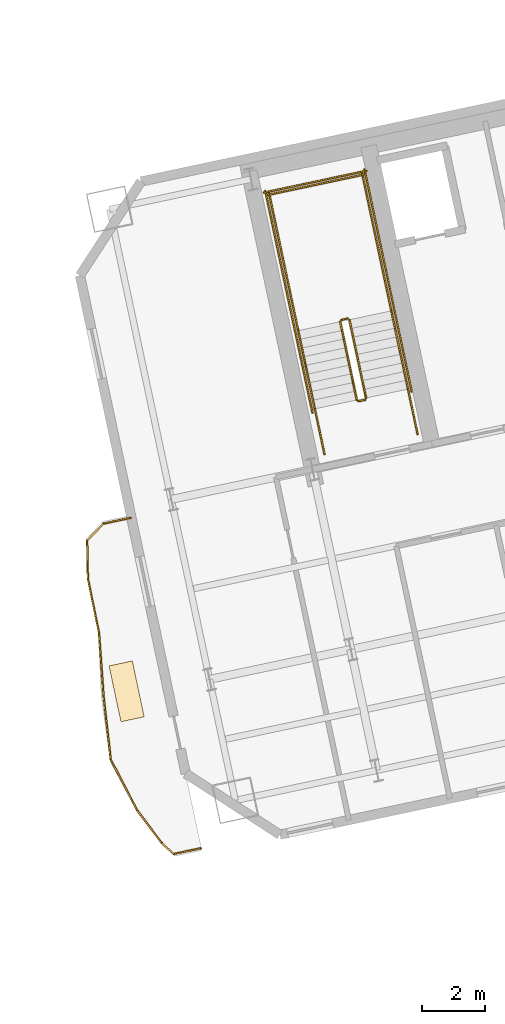
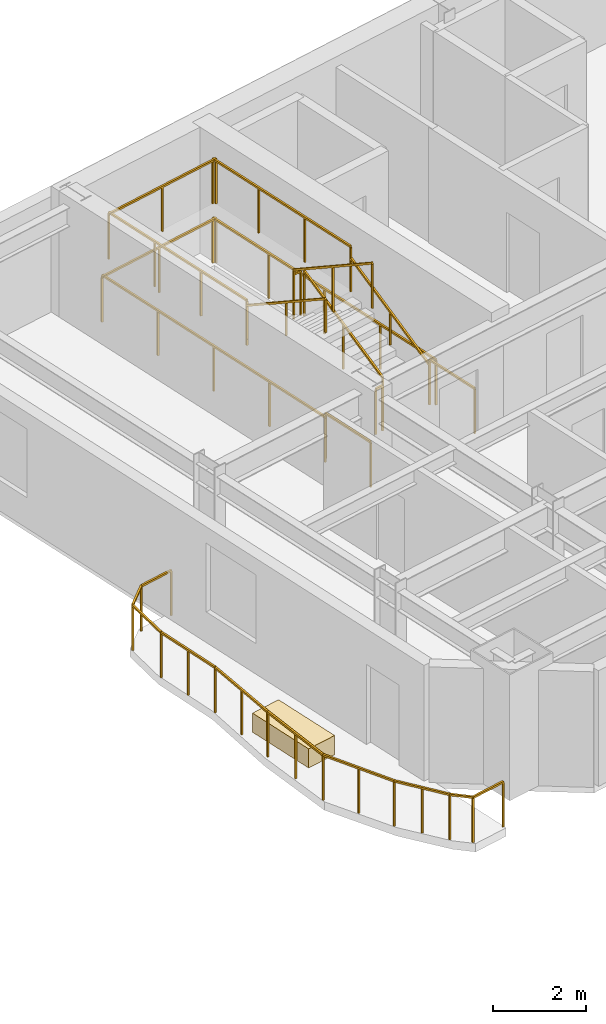
# One storey, part 12 of 13: 24 railings, 1 covering.
"""IFC4 building model written with IfcOpenShell, lengths in metres."""

from ifc_helpers import new_model, si_unit, direction, frame, origin, origin_2d, place, context, subcontext, project, spatial, rectangle, extrude, material, layer, layer_set, type_object, element, save


model = new_model("IFC4")

# Units and contexts
model_context = context("Model", 3, precision=1e-05, world=origin(), true_north=direction((0.0, 1.0)))
body_context = subcontext(model_context, "Body", "Model", "MODEL_VIEW")
ifc_project = project(units=[si_unit("LENGTHUNIT", "METRE"), si_unit("AREAUNIT", "SQUARE_METRE"), si_unit("VOLUMEUNIT", "CUBIC_METRE"), si_unit("PLANEANGLEUNIT", "RADIAN"), si_unit("MASSUNIT", "GRAM", prefix="KILO")], contexts=[model_context])

# Site, building, storey
site_placement = place(None, origin())
site = spatial("IfcSite", under=ifc_project, at=site_placement, CompositionType="ELEMENT")
building_placement = place(site_placement, origin())
building = spatial("IfcBuilding", under=site, at=building_placement, Name="Haevon Station Towers", CompositionType="ELEMENT")
storey_placement = place(building_placement, frame((0.0, 0.0, 142.800048828125)))
storey = spatial("IfcBuildingStorey", under=building, at=storey_placement, Name="L38", CompositionType="ELEMENT", Elevation=142.800048828125)

# Railings
ifc_material_1 = material(Name="Steel S355", Category="steel")
railing_type_1 = type_object("IfcRailingType", Name="GRD-EXT1200", PredefinedType="GUARDRAIL", material=ifc_material_1)
railing_1_placement = place(storey_placement, frame((93.021240234375, 35.91455078125, 0.0)))
element("IfcRailing", 1, at=railing_1_placement, inside=storey, type_object=railing_type_1, Name="L38 Perimeter Guardrail 1", PredefinedType="GUARDRAIL", context=body_context, shape_type="SweptSolid", body=[
    extrude(rectangle(XDim=0.048095703125, YDim=0.048095703125, at=origin_2d()), frame((0.0, 0.0, 1.17578125), z_axis=(-0.977683060471, -0.210085299981, 0.0), x_axis=(0.210085299981, -0.977683060471, 0.0)), (0.0, 0.0, 1.0), 0.869140625),
    extrude(rectangle(XDim=0.0419921875, YDim=0.0419921875, at=origin_2d()), origin(), (0.0, 0.0, 1.0), 1.15185546875),
    extrude(rectangle(XDim=0.0419921875, YDim=0.0419921875, at=origin_2d()), frame((-0.849853515625, -0.1826171875, 0.0)), (0.0, 0.0, 1.0), 1.15185546875),
])
railing_2_placement = place(storey_placement, frame((92.17138671875, 35.73193359375, 0.0)))
element("IfcRailing", 2, at=railing_2_placement, inside=storey, type_object=railing_type_1, Name="L38 Perimeter Guardrail 2", PredefinedType="GUARDRAIL", context=body_context, shape_type="SweptSolid", body=[
    extrude(rectangle(XDim=0.048095703125, YDim=0.048095703125, at=origin_2d()), frame((0.0, 0.0, 1.17578125), z_axis=(-0.700012319638, -0.714130766985, 0.0), x_axis=(0.714130766985, -0.700012319638, 0.0)), (0.0, 0.0, 1.0), 0.74365234375),
    extrude(rectangle(XDim=0.0419921875, YDim=0.0419921875, at=origin_2d()), origin(), (0.0, 0.0, 1.0), 1.15185546875),
    extrude(rectangle(XDim=0.0419921875, YDim=0.0419921875, at=origin_2d()), frame((-0.5205078125, -0.531005859375, 0.0)), (0.0, 0.0, 1.0), 1.15185546875),
])
railing_3_placement = place(storey_placement, frame((91.65087890625, 35.200927734375, 0.0)))
element("IfcRailing", 3, at=railing_3_placement, inside=storey, type_object=railing_type_1, Name="L38 Perimeter Guardrail 3", PredefinedType="GUARDRAIL", context=body_context, shape_type="SweptSolid", body=[
    extrude(rectangle(XDim=0.048095703125, YDim=0.048095703125, at=origin_2d()), frame((0.0, 0.0, 1.17578125), z_axis=(0.018439487303, -0.9998299782, 0.0), x_axis=(0.9998299782, 0.018439487303, 0.0)), (0.0, 0.0, 1.0), 1.191650390625),
    extrude(rectangle(XDim=0.0419921875, YDim=0.0419921875, at=origin_2d()), origin(), (0.0, 0.0, 1.0), 1.15185546875),
    extrude(rectangle(XDim=0.0419921875, YDim=0.0419921875, at=origin_2d()), frame((0.02197265625, -1.19140625, 0.0)), (0.0, 0.0, 1.0), 1.15185546875),
])
railing_4_placement = place(storey_placement, frame((91.6728515625, 34.009521484375, 0.0)))
element("IfcRailing", 4, at=railing_4_placement, inside=storey, type_object=railing_type_1, Name="L38 Perimeter Guardrail 4", PredefinedType="GUARDRAIL", context=body_context, shape_type="SweptSolid", body=[
    extrude(rectangle(XDim=0.048095703125, YDim=0.048095703125, at=origin_2d()), frame((0.0, 0.0, 1.17578125), z_axis=(0.200700479152, -0.979652651539, 0.0), x_axis=(0.979652651539, 0.200700479152, 0.0)), (0.0, 0.0, 1.0), 1.75048828125),
    extrude(rectangle(XDim=0.0419921875, YDim=0.0419921875, at=origin_2d()), origin(), (0.0, 0.0, 1.0), 1.15185546875),
    extrude(rectangle(XDim=0.0419921875, YDim=0.0419921875, at=origin_2d()), frame((0.17578125, -0.857421875, 0.0)), (0.0, 0.0, 1.0), 1.15185546875),
    extrude(rectangle(XDim=0.0419921875, YDim=0.0419921875, at=origin_2d()), frame((0.351318359375, -1.71484375, 0.0)), (0.0, 0.0, 1.0), 1.15185546875),
])
railing_5_placement = place(storey_placement, frame((92.024169921875, 32.294677734375, 0.0)))
element("IfcRailing", 5, at=railing_5_placement, inside=storey, type_object=railing_type_1, Name="L38 Perimeter Guardrail 5", PredefinedType="GUARDRAIL", context=body_context, shape_type="SweptSolid", body=[
    extrude(rectangle(XDim=0.048095703125, YDim=0.048095703125, at=origin_2d()), frame((0.0, 0.0, 1.17578125), z_axis=(0.072612688786, -0.99736021448, 0.0), x_axis=(0.99736021448, 0.072612688786, 0.0)), (0.0, 0.0, 1.0), 2.00732421875),
    extrude(rectangle(XDim=0.0419921875, YDim=0.0419921875, at=origin_2d()), origin(), (0.0, 0.0, 1.0), 1.15185546875),
    extrude(rectangle(XDim=0.0419921875, YDim=0.0419921875, at=origin_2d()), frame((0.07275390625, -1.0009765625, 0.0)), (0.0, 0.0, 1.0), 1.15185546875),
    extrude(rectangle(XDim=0.0419921875, YDim=0.0419921875, at=origin_2d()), frame((0.145751953125, -2.001953125, 0.0)), (0.0, 0.0, 1.0), 1.15185546875),
])
railing_6_placement = place(storey_placement, frame((92.169921875, 30.292724609375, 0.0)))
element("IfcRailing", 6, at=railing_6_placement, inside=storey, type_object=railing_type_1, Name="L38 Perimeter Guardrail 6", PredefinedType="GUARDRAIL", context=body_context, shape_type="SweptSolid", body=[
    extrude(rectangle(XDim=0.048095703125, YDim=0.048095703125, at=origin_2d()), frame((0.0, 0.0, 1.17578125), z_axis=(0.111367614102, -0.993779278577, 0.0), x_axis=(0.993779278577, 0.111367614102, 0.0)), (0.0, 0.0, 1.0), 2.003662109375),
    extrude(rectangle(XDim=0.0419921875, YDim=0.0419921875, at=origin_2d()), origin(), (0.0, 0.0, 1.0), 1.15185546875),
    extrude(rectangle(XDim=0.0419921875, YDim=0.0419921875, at=origin_2d()), frame((0.111572265625, -0.99560546875, 0.0)), (0.0, 0.0, 1.0), 1.15185546875),
    extrude(rectangle(XDim=0.0419921875, YDim=0.0419921875, at=origin_2d()), frame((0.22314453125, -1.9912109375, 0.0)), (0.0, 0.0, 1.0), 1.15185546875),
])
railing_7_placement = place(storey_placement, frame((92.39306640625, 28.301513671875, 0.0)))
element("IfcRailing", 7, at=railing_7_placement, inside=storey, type_object=railing_type_1, Name="L38 Perimeter Guardrail 7", PredefinedType="GUARDRAIL", context=body_context, shape_type="SweptSolid", body=[
    extrude(rectangle(XDim=0.048095703125, YDim=0.048095703125, at=origin_2d()), frame((0.0, 0.0, 1.17578125), z_axis=(0.46091535404, -0.887444103259, 0.0), x_axis=(0.887444103259, 0.46091535404, 0.0)), (0.0, 0.0, 1.0), 1.810546875),
    extrude(rectangle(XDim=0.0419921875, YDim=0.0419921875, at=origin_2d()), origin(), (0.0, 0.0, 1.0), 1.15185546875),
    extrude(rectangle(XDim=0.0419921875, YDim=0.0419921875, at=origin_2d()), frame((0.417236328125, -0.80322265625, 0.0)), (0.0, 0.0, 1.0), 1.15185546875),
    extrude(rectangle(XDim=0.0419921875, YDim=0.0419921875, at=origin_2d()), frame((0.83447265625, -1.606689453125, 0.0)), (0.0, 0.0, 1.0), 1.15185546875),
])
railing_8_placement = place(storey_placement, frame((93.2275390625, 26.69482421875, 0.0)))
element("IfcRailing", 8, at=railing_8_placement, inside=storey, type_object=railing_type_1, Name="L38 Perimeter Guardrail 8", PredefinedType="GUARDRAIL", context=body_context, shape_type="SweptSolid", body=[
    extrude(rectangle(XDim=0.048095703125, YDim=0.048095703125, at=origin_2d()), frame((0.0, 0.0, 1.17578125), z_axis=(0.602688662645, -0.797976425666, 0.0), x_axis=(0.797976425666, 0.602688662645, 0.0)), (0.0, 0.0, 1.0), 1.29150390625),
    extrude(rectangle(XDim=0.0419921875, YDim=0.0419921875, at=origin_2d()), origin(), (0.0, 0.0, 1.0), 1.15185546875),
    extrude(rectangle(XDim=0.0419921875, YDim=0.0419921875, at=origin_2d()), frame((0.38916015625, -0.51513671875, 0.0)), (0.0, 0.0, 1.0), 1.15185546875),
    extrude(rectangle(XDim=0.0419921875, YDim=0.0419921875, at=origin_2d()), frame((0.7783203125, -1.030517578125, 0.0)), (0.0, 0.0, 1.0), 1.15185546875),
])
railing_9_placement = place(storey_placement, frame((94.005859375, 25.664306640625, 0.0)))
element("IfcRailing", 9, at=railing_9_placement, inside=storey, type_object=railing_type_1, Name="L38 Perimeter Guardrail 9", PredefinedType="GUARDRAIL", context=body_context, shape_type="SweptSolid", body=[
    extrude(rectangle(XDim=0.048095703125, YDim=0.048095703125, at=origin_2d()), frame((0.0, 0.0, 1.17578125), z_axis=(0.74288808428, -0.669415636384, 0.0), x_axis=(0.669415636384, 0.74288808428, 0.0)), (0.0, 0.0, 1.0), 0.50830078125),
    extrude(rectangle(XDim=0.0419921875, YDim=0.0419921875, at=origin_2d()), origin(), (0.0, 0.0, 1.0), 1.15185546875),
    extrude(rectangle(XDim=0.0419921875, YDim=0.0419921875, at=origin_2d()), frame((0.377685546875, -0.34033203125, 0.0)), (0.0, 0.0, 1.0), 1.15185546875),
])
railing_10_placement = place(storey_placement, frame((94.383544921875, 25.323974609375, 0.0)))
element("IfcRailing", 10, at=railing_10_placement, inside=storey, type_object=railing_type_1, Name="L38 Perimeter Guardrail 10", PredefinedType="GUARDRAIL", context=body_context, shape_type="SweptSolid", body=[
    extrude(rectangle(XDim=0.048095703125, YDim=0.048095703125, at=origin_2d()), frame((0.0, 0.0, 1.17578125), z_axis=(0.978588498747, 0.205826504901, 0.0), x_axis=(-0.205826504901, 0.978588498747, 0.0)), (0.0, 0.0, 1.0), 0.869384765625),
    extrude(rectangle(XDim=0.0419921875, YDim=0.0419921875, at=origin_2d()), origin(), (0.0, 0.0, 1.0), 1.15185546875),
    extrude(rectangle(XDim=0.0419921875, YDim=0.0419921875, at=origin_2d()), frame((0.850830078125, 0.178955078125, 0.0)), (0.0, 0.0, 1.0), 1.15185546875),
])
railing_type_2 = type_object("IfcRailingType", Name="GRD-STR1200", PredefinedType="GUARDRAIL", material=ifc_material_1)
railing_11_placement = place(storey_placement, frame((100.44140625, 39.69287109375, 0.1650390625)))
element("IfcRailing", 11, at=railing_11_placement, inside=storey, type_object=railing_type_2, Name="L38 ST3 Stair Guard 1", PredefinedType="GUARDRAIL", context=body_context, shape_type="SweptSolid", body=[
    extrude(rectangle(XDim=0.048095703125, YDim=0.048095703125, at=origin_2d()), frame((0.0, 0.0, 1.17578125), z_axis=(-0.179128856099, 0.842723639875, 0.507670877349), x_axis=(-0.978147030254, -0.207914374695, 0.0)), (0.0, 0.0, 1.0), 2.9248046875),
    extrude(rectangle(XDim=0.0419921875, YDim=0.0419921875, at=origin_2d()), origin(), (0.0, 0.0, 1.0), 1.15185546875),
    extrude(rectangle(XDim=0.0419921875, YDim=0.0419921875, at=origin_2d()), frame((-0.261962890625, 1.232421875, 0.742431640625)), (0.0, 0.0, 1.0), 1.15185546875),
    extrude(rectangle(XDim=0.0419921875, YDim=0.0419921875, at=origin_2d()), frame((-0.52392578125, 2.46484375, 1.48486328125)), (0.0, 0.0, 1.0), 1.15185546875),
])
railing_12_placement = place(storey_placement, frame((99.858154296875, 42.1962890625, 1.64990234375)))
element("IfcRailing", 12, at=railing_12_placement, inside=storey, type_object=railing_type_2, Name="L38 ST3 Stair Guard 2", PredefinedType="GUARDRAIL", context=body_context, shape_type="SweptSolid", body=[
    extrude(rectangle(XDim=0.048095703125, YDim=0.048095703125, at=origin_2d()), frame((0.0, 0.0, 1.17578125), z_axis=(-0.977962931203, -0.208778603291, 0.0), x_axis=(0.208778603291, -0.977962931203, 0.0)), (0.0, 0.0, 1.0), 0.199951171875),
    extrude(rectangle(XDim=0.0419921875, YDim=0.0419921875, at=origin_2d()), origin(), (0.0, 0.0, 1.0), 1.15185546875),
    extrude(rectangle(XDim=0.0419921875, YDim=0.0419921875, at=origin_2d()), frame((-0.195556640625, -0.041748046875, 0.0)), (0.0, 0.0, 1.0), 1.15185546875),
])
railing_13_placement = place(storey_placement, frame((101.238037109375, 42.4384765625, 1.64990234375)))
element("IfcRailing", 13, at=railing_13_placement, inside=storey, type_object=railing_type_2, Name="L38 ST3 Stair Guard 3", PredefinedType="GUARDRAIL", context=body_context, shape_type="SweptSolid", body=[
    extrude(rectangle(XDim=0.048095703125, YDim=0.048095703125, at=origin_2d()), frame((0.0, 0.0, 1.17578125), z_axis=(-0.20794048909, 0.978141479029, 0.0), x_axis=(-0.978141479029, -0.20794048909, 0.0)), (0.0, 0.0, 1.0), 4.429931640625),
    extrude(rectangle(XDim=0.0419921875, YDim=0.0419921875, at=origin_2d()), origin(), (0.0, 0.0, 1.0), 1.15185546875),
    extrude(rectangle(XDim=0.0419921875, YDim=0.0419921875, at=origin_2d()), frame((-0.30712890625, 1.4443359375, 0.0)), (0.0, 0.0, 1.0), 1.15185546875),
    extrude(rectangle(XDim=0.0419921875, YDim=0.0419921875, at=origin_2d()), frame((-0.614013671875, 2.888671875, 0.0)), (0.0, 0.0, 1.0), 1.15185546875),
    extrude(rectangle(XDim=0.0419921875, YDim=0.0419921875, at=origin_2d()), frame((-0.921142578125, 4.3330078125, 0.0)), (0.0, 0.0, 1.0), 1.15185546875),
])
railing_14_placement = place(storey_placement, frame((98.303466796875, 41.814697265625, 1.64990234375)))
element("IfcRailing", 14, at=railing_14_placement, inside=storey, type_object=railing_type_2, Name="L38 ST3 Stair Guard 4", PredefinedType="GUARDRAIL", context=body_context, shape_type="SweptSolid", body=[
    extrude(rectangle(XDim=0.048095703125, YDim=0.048095703125, at=origin_2d()), frame((0.0, 0.0, 1.17578125), z_axis=(-0.207876551949, 0.978155069071, 0.0), x_axis=(-0.978155069071, -0.207876551949, 0.0)), (0.0, 0.0, 1.0), 4.429931640625),
    extrude(rectangle(XDim=0.0419921875, YDim=0.0419921875, at=origin_2d()), origin(), (0.0, 0.0, 1.0), 1.15185546875),
    extrude(rectangle(XDim=0.0419921875, YDim=0.0419921875, at=origin_2d()), frame((-0.306884765625, 1.4443359375, 0.0)), (0.0, 0.0, 1.0), 1.15185546875),
    extrude(rectangle(XDim=0.0419921875, YDim=0.0419921875, at=origin_2d()), frame((-0.614013671875, 2.888916015625, 0.0)), (0.0, 0.0, 1.0), 1.15185546875),
    extrude(rectangle(XDim=0.0419921875, YDim=0.0419921875, at=origin_2d()), frame((-0.9208984375, 4.333251953125, 0.0)), (0.0, 0.0, 1.0), 1.15185546875),
])
railing_15_placement = place(storey_placement, frame((100.376220703125, 46.733154296875, 1.64990234375)))
element("IfcRailing", 15, at=railing_15_placement, inside=storey, type_object=railing_type_2, Name="L38 ST3 Stair Guard 5", PredefinedType="GUARDRAIL", context=body_context, shape_type="SweptSolid", body=[
    extrude(rectangle(XDim=0.048095703125, YDim=0.048095703125, at=origin_2d()), frame((0.0, 0.0, 1.17578125), z_axis=(-0.978146839882, -0.207915270313, 0.0), x_axis=(0.207915270313, -0.978146839882, 0.0)), (0.0, 0.0, 1.0), 3.099853515625),
    extrude(rectangle(XDim=0.0419921875, YDim=0.0419921875, at=origin_2d()), origin(), (0.0, 0.0, 1.0), 1.15185546875),
    extrude(rectangle(XDim=0.0419921875, YDim=0.0419921875, at=origin_2d()), frame((-1.51611328125, -0.322265625, 0.0)), (0.0, 0.0, 1.0), 1.15185546875),
    extrude(rectangle(XDim=0.0419921875, YDim=0.0419921875, at=origin_2d()), frame((-3.0322265625, -0.64453125, 0.0)), (0.0, 0.0, 1.0), 1.15185546875),
])
railing_16_placement = place(storey_placement, frame((99.6240234375, 42.09521484375, 1.81494140625)))
element("IfcRailing", 16, at=railing_16_placement, inside=storey, type_object=railing_type_2, Name="L38 ST3 Stair Guard 6", PredefinedType="GUARDRAIL", context=body_context, shape_type="SweptSolid", body=[
    extrude(rectangle(XDim=0.048095703125, YDim=0.048095703125, at=origin_2d()), frame((0.0, 0.0, 1.17578125), z_axis=(0.179121265225, -0.842687928106, 0.507732831485), x_axis=(0.978147030254, 0.207914374695, 0.0)), (0.0, 0.0, 1.0), 2.925048828125),
    extrude(rectangle(XDim=0.0419921875, YDim=0.0419921875, at=origin_2d()), origin(), (0.0, 0.0, 1.0), 1.15185546875),
    extrude(rectangle(XDim=0.0419921875, YDim=0.0419921875, at=origin_2d()), frame((0.261962890625, -1.232421875, 0.74267578125)), (0.0, 0.0, 1.0), 1.15185546875),
    extrude(rectangle(XDim=0.0419921875, YDim=0.0419921875, at=origin_2d()), frame((0.52392578125, -2.46484375, 1.485107421875)), (0.0, 0.0, 1.0), 1.15185546875),
])
railing_17_placement = place(storey_placement, frame((100.40283203125, 39.633544921875, 0.0)))
element("IfcRailing", 17, at=railing_17_placement, inside=storey, type_object=railing_type_2, Name="L38 ST3 Stair Guard 7", PredefinedType="GUARDRAIL", context=body_context, shape_type="SweptSolid", body=[
    extrude(rectangle(XDim=0.048095703125, YDim=0.048095703125, at=origin_2d()), frame((0.0, 0.0, 1.17578125), z_axis=(-0.977962931203, -0.208778603291, 0.0), x_axis=(0.208778603291, -0.977962931203, 0.0)), (0.0, 0.0, 1.0), 0.199951171875),
    extrude(rectangle(XDim=0.0419921875, YDim=0.0419921875, at=origin_2d()), origin(), (0.0, 0.0, 1.0), 1.15185546875),
    extrude(rectangle(XDim=0.0419921875, YDim=0.0419921875, at=origin_2d()), frame((-0.195556640625, -0.041748046875, 0.0)), (0.0, 0.0, 1.0), 1.15185546875),
])
for number, where, name in (
    (18, (102.0634765625, 38.55517578125, 0.0), "L38 ST3 Stair Guard 8"),
    (19, (99.12890625, 37.931396484375, 0.0), "L38 ST3 Stair Guard 9"),
):
    element("IfcRailing", number, at=place(storey_placement, frame(where)), inside=storey, type_object=railing_type_2, Name=name, PredefinedType="GUARDRAIL", context=body_context, shape_type="SweptSolid", body=[
        extrude(rectangle(XDim=0.048095703125, YDim=0.048095703125, at=origin_2d()), frame((0.0, 0.0, 1.17578125), z_axis=(-0.207953405961, 0.978138732977, 0.0), x_axis=(-0.978138732977, -0.207953405961, 0.0)), (0.0, 0.0, 1.0), 1.449951171875),
        extrude(rectangle(XDim=0.0419921875, YDim=0.0419921875, at=origin_2d()), origin(), (0.0, 0.0, 1.0), 1.15185546875),
        extrude(rectangle(XDim=0.0419921875, YDim=0.0419921875, at=origin_2d()), frame((-0.301513671875, 1.418212890625, 0.0)), (0.0, 0.0, 1.0), 1.15185546875),
    ])
railing_18_placement = place(storey_placement, frame((101.88037109375, 39.896484375, 0.0)))
element("IfcRailing", 20, at=railing_18_placement, inside=storey, type_object=railing_type_2, Name="L38 ST3 Stair Guard 10", PredefinedType="GUARDRAIL", context=body_context, shape_type="SweptSolid", body=[
    extrude(rectangle(XDim=0.048095703125, YDim=0.048095703125, at=origin_2d()), frame((0.0, 0.0, 1.17578125), z_axis=(-0.207882442208, 0.978153817261, 0.0), x_axis=(-0.978153817261, -0.207882442208, 0.0)), (0.0, 0.0, 1.0), 7.14990234375),
    extrude(rectangle(XDim=0.0419921875, YDim=0.0419921875, at=origin_2d()), origin(), (0.0, 0.0, 1.0), 1.15185546875),
    extrude(rectangle(XDim=0.0419921875, YDim=0.0419921875, at=origin_2d()), frame((-0.37158203125, 1.74853515625, 0.0)), (0.0, 0.0, 1.0), 1.15185546875),
    extrude(rectangle(XDim=0.0419921875, YDim=0.0419921875, at=origin_2d()), frame((-0.7431640625, 3.496826171875, 0.0)), (0.0, 0.0, 1.0), 1.15185546875),
    extrude(rectangle(XDim=0.0419921875, YDim=0.0419921875, at=origin_2d()), frame((-1.11474609375, 5.2451171875, 0.0)), (0.0, 0.0, 1.0), 1.15185546875),
    extrude(rectangle(XDim=0.0419921875, YDim=0.0419921875, at=origin_2d()), frame((-1.486328125, 6.99365234375, 0.0)), (0.0, 0.0, 1.0), 1.15185546875),
])
railing_19_placement = place(storey_placement, frame((98.75048828125, 39.231201171875, 0.0)))
element("IfcRailing", 21, at=railing_19_placement, inside=storey, type_object=railing_type_2, Name="L38 ST3 Stair Guard 11", PredefinedType="GUARDRAIL", context=body_context, shape_type="SweptSolid", body=[
    extrude(rectangle(XDim=0.048095703125, YDim=0.048095703125, at=origin_2d()), frame((0.0, 0.0, 1.17578125), z_axis=(-0.207915112487, 0.978146873429, 0.0), x_axis=(-0.978146873429, -0.207915112487, 0.0)), (0.0, 0.0, 1.0), 7.14990234375),
    extrude(rectangle(XDim=0.0419921875, YDim=0.0419921875, at=origin_2d()), origin(), (0.0, 0.0, 1.0), 1.15185546875),
    extrude(rectangle(XDim=0.0419921875, YDim=0.0419921875, at=origin_2d()), frame((-0.37158203125, 1.74853515625, 0.0)), (0.0, 0.0, 1.0), 1.15185546875),
    extrude(rectangle(XDim=0.0419921875, YDim=0.0419921875, at=origin_2d()), frame((-0.7431640625, 3.496826171875, 0.0)), (0.0, 0.0, 1.0), 1.15185546875),
    extrude(rectangle(XDim=0.0419921875, YDim=0.0419921875, at=origin_2d()), frame((-1.114990234375, 5.2451171875, 0.0)), (0.0, 0.0, 1.0), 1.15185546875),
    extrude(rectangle(XDim=0.0419921875, YDim=0.0419921875, at=origin_2d()), frame((-1.486572265625, 6.99365234375, 0.0)), (0.0, 0.0, 1.0), 1.15185546875),
])
railing_20_placement = place(storey_placement, frame((100.453125, 46.8515625, 0.0)))
element("IfcRailing", 22, at=railing_20_placement, inside=storey, type_object=railing_type_2, Name="L38 ST3 Stair Guard 12", PredefinedType="GUARDRAIL", context=body_context, shape_type="SweptSolid", body=[
    extrude(rectangle(XDim=0.048095703125, YDim=0.048095703125, at=origin_2d()), frame((0.0, 0.0, 1.17578125), z_axis=(-0.978150764849, -0.207896804268, 0.0), x_axis=(0.207896804268, -0.978150764849, 0.0)), (0.0, 0.0, 1.0), 3.2998046875),
    extrude(rectangle(XDim=0.0419921875, YDim=0.0419921875, at=origin_2d()), origin(), (0.0, 0.0, 1.0), 1.15185546875),
    extrude(rectangle(XDim=0.0419921875, YDim=0.0419921875, at=origin_2d()), frame((-1.61376953125, -0.343017578125, 0.0)), (0.0, 0.0, 1.0), 1.15185546875),
    extrude(rectangle(XDim=0.0419921875, YDim=0.0419921875, at=origin_2d()), frame((-3.227783203125, -0.68603515625, 0.0)), (0.0, 0.0, 1.0), 1.15185546875),
])
railing_type_3 = type_object("IfcRailingType", Name="HND-STR900", PredefinedType="HANDRAIL", material=ifc_material_1)
railing_21_placement = place(storey_placement, frame((101.761962890625, 39.973388671875, 0.1650390625)))
element("IfcRailing", 23, at=railing_21_placement, inside=storey, type_object=railing_type_3, Name="L38 ST3 Stair Handrail 1", PredefinedType="HANDRAIL", context=body_context, shape_type="SweptSolid", body=[
    extrude(rectangle(XDim=0.048095703125, YDim=0.048095703125, at=origin_2d()), frame((0.0, 0.0, 0.8759765625), z_axis=(-0.179116256339, 0.842747828638, 0.507635168246), x_axis=(-0.978151217824, -0.207894673017, 0.0)), (0.0, 0.0, 1.0), 2.925048828125),
    extrude(rectangle(XDim=0.0419921875, YDim=0.0419921875, at=origin_2d()), origin(), (0.0, 0.0, 1.0), 0.851806640625),
    extrude(rectangle(XDim=0.0419921875, YDim=0.0419921875, at=origin_2d()), frame((-0.261962890625, 1.232421875, 0.742431640625)), (0.0, 0.0, 1.0), 0.851806640625),
    extrude(rectangle(XDim=0.0419921875, YDim=0.0419921875, at=origin_2d()), frame((-0.52392578125, 2.465087890625, 1.48486328125)), (0.0, 0.0, 1.0), 0.851806640625),
])
railing_22_placement = place(storey_placement, frame((98.303466796875, 41.814697265625, 1.81494140625)))
element("IfcRailing", 24, at=railing_22_placement, inside=storey, type_object=railing_type_3, Name="L38 ST3 Stair Handrail 2", PredefinedType="HANDRAIL", context=body_context, shape_type="SweptSolid", body=[
    extrude(rectangle(XDim=0.048095703125, YDim=0.048095703125, at=origin_2d()), frame((0.0, 0.0, 0.8759765625), z_axis=(0.179108667068, -0.842712120868, 0.50769712105), x_axis=(0.978151217824, 0.207894673017, 0.0)), (0.0, 0.0, 1.0), 2.92529296875),
    extrude(rectangle(XDim=0.0419921875, YDim=0.0419921875, at=origin_2d()), origin(), (0.0, 0.0, 1.0), 0.851806640625),
    extrude(rectangle(XDim=0.0419921875, YDim=0.0419921875, at=origin_2d()), frame((0.261962890625, -1.232421875, 0.74267578125)), (0.0, 0.0, 1.0), 0.851806640625),
    extrude(rectangle(XDim=0.0419921875, YDim=0.0419921875, at=origin_2d()), frame((0.52392578125, -2.465087890625, 1.485107421875)), (0.0, 0.0, 1.0), 0.851806640625),
])

# Covering
ifc_material_2 = material(Name="Architectural planter GRC", Category="concrete")
ifc_layer = layer(ifc_material_2, 0.550048828125)
ifc_layer_set = layer_set([ifc_layer], Name="Architectural planter GRC")
covering_type = type_object("IfcCoveringType", Name="PLN-GRC550", PredefinedType="MOLDING", material=ifc_layer_set)
covering_placement = place(storey_placement, frame((92.8955078125, 30.44677734375, 0.0), z_axis=(0.0, 0.0, 1.0), x_axis=(0.978147600734, 0.207911690818, 0.0)))
element("IfcCovering", 25, at=covering_placement, inside=storey, type_object=covering_type, Name="Tower 2 L38 Scalloped Balcony PLANTER", PredefinedType="MOLDING", context=body_context, shape_type="SweptSolid", body=[
    extrude(rectangle(XDim=0.75, YDim=1.800048828125, at=origin_2d()), origin(), (0.0, 0.0, 1.0), 0.5),
])

save(model, "model.ifc")
